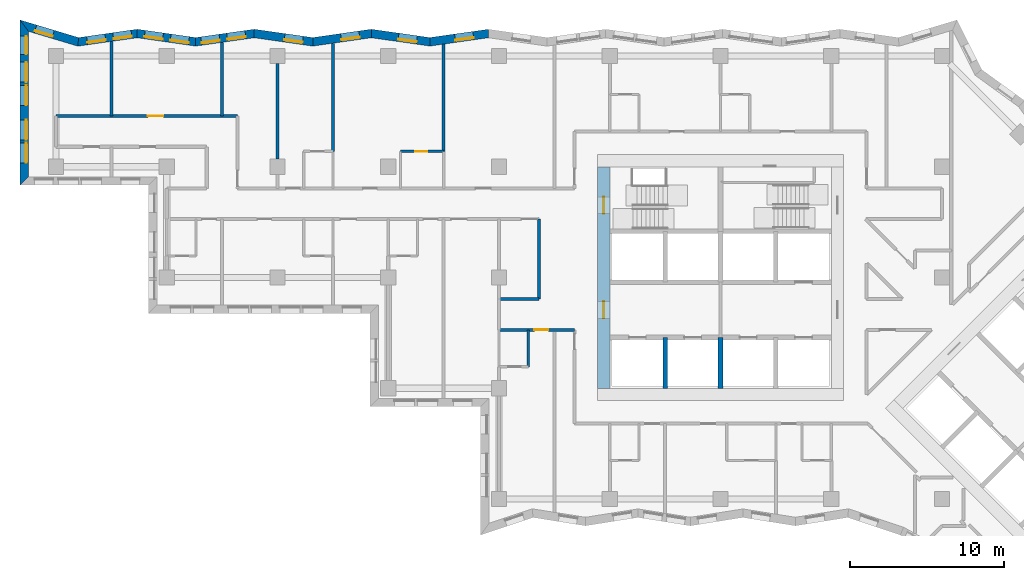
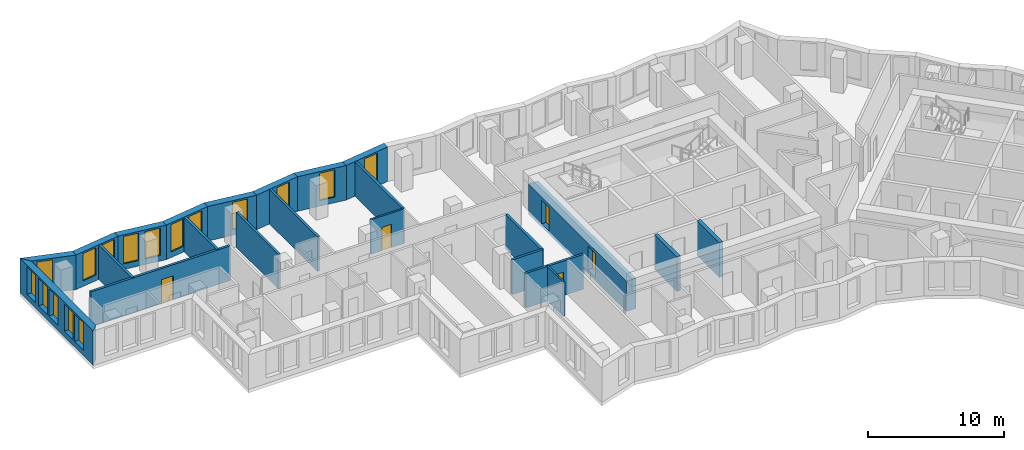
# One storey, part 5 of 13: 23 walls, 16 windows, 5 doors, 21 openings.
"""IFC4 building model written with IfcOpenShell, lengths in metres."""

from ifc_helpers import new_model, si_unit, direction, frame, frame_2d, origin, place, context, subcontext, project, spatial, polyline, rectangle, outline, extrude, material, layer, layer_set, type_object, element, fill, save


model = new_model("IFC4")

# Units and contexts
model_context = context("Model", 3, precision=1e-05, world=origin(), true_north=direction((0.0, 1.0)))
body_context = subcontext(model_context, "Body", "Model", "MODEL_VIEW")
ifc_project = project(units=[si_unit("LENGTHUNIT", "METRE"), si_unit("AREAUNIT", "SQUARE_METRE"), si_unit("VOLUMEUNIT", "CUBIC_METRE"), si_unit("PLANEANGLEUNIT", "RADIAN"), si_unit("MASSUNIT", "GRAM", prefix="KILO")], contexts=[model_context])

# Site, building, storey
site_placement = place(None, origin())
site = spatial("IfcSite", under=ifc_project, at=site_placement, CompositionType="ELEMENT")
building_placement = place(site_placement, origin())
building = spatial("IfcBuilding", under=site, at=building_placement, Name="Windrow Commons", CompositionType="ELEMENT")
storey_placement = place(building_placement, frame((0.0, 0.0, 108.4)))
storey = spatial("IfcBuildingStorey", under=building, at=storey_placement, Name="L29", CompositionType="ELEMENT", Elevation=108.4)

# Wall, opening, window
ifc_material_1 = material(Name="Brick masonry, red clay brick", Category="masonry")
ifc_layer_1 = layer(ifc_material_1, 0.55)
ifc_layer_set_1 = layer_set([ifc_layer_1], Name="Brick facade wall 550")
wall_type_1 = type_object("IfcWallType", Name="Brick facade wall 550", PredefinedType="SOLIDWALL", material=ifc_layer_set_1)
wall_1_placement = place(storey_placement, frame((49.7141, 73.4642, 0.0), z_axis=(0.0, 0.0, 1.0), x_axis=(-0.990016994, -0.1409480459, 0.0)))
wall_1 = element("IfcWall", 1, at=wall_1_placement, inside=storey, type_object=wall_type_1, Name="Brick facade wall L29 29", PredefinedType="SOLIDWALL", context=body_context, shape_type="SweptSolid", body=[
    extrude(outline(polyline([(-0.0392, -0.275), (3.8062, -0.275), (3.8845, 0.275), (0.0392, 0.275), (-0.0392, -0.275)])), origin(), (0.0, 0.0, 1.0), 3.1),
])
opening_1_placement = place(wall_1_placement, frame((0.9913, 0.0, 0.5)))
opening_1 = element("IfcOpeningElement", 2, at=opening_1_placement, cuts=wall_1, Name="Opening W7D", PredefinedType="OPENING", context=body_context, shape_type="SweptSolid", body=[
    extrude(rectangle(XDim=1.2, YDim=2.45, at=frame_2d((0.6, 1.225))), frame((0.0, 0.285, 0.0), z_axis=(0.0, -1.0, 0.0), x_axis=(1.0, 0.0, 0.0)), (0.0, 0.0, 1.0), 0.57),
])
ifc_material_2 = material(Name="Clear float glass in anodised aluminium frame", Category="aluminium")
window_type_1 = type_object("IfcWindowType", Name="Window W7 notch 1200x2450", PartitioningType="SINGLE_PANEL", PredefinedType="WINDOW", material=ifc_material_2)
window_1_placement = place(opening_1_placement, origin())
window_1 = element("IfcWindow", 3, at=window_1_placement, inside=storey, type_object=window_type_1, Name="Window L29 29.1", OverallHeight=2.45, OverallWidth=1.2, PartitioningType="SINGLE_PANEL", PredefinedType="WINDOW", context=body_context, shape_type="SweptSolid", body=[
    extrude(rectangle(XDim=1.2, YDim=2.45, at=frame_2d((0.6, 1.225))), frame((0.0, 0.155, 0.0), z_axis=(0.0, -1.0, 0.0), x_axis=(1.0, 0.0, 0.0)), (0.0, 0.0, 1.0), 0.06),
])
fill(opening_1, window_1)

wall_2_placement = place(storey_placement, frame((45.9071, 72.9222, 0.0), z_axis=(0.0, 0.0, 1.0), x_axis=(-0.9900175106, 0.1409444172, 0.0)))
wall_2 = element("IfcWall", 4, at=wall_2_placement, inside=storey, type_object=wall_type_1, Name="Brick facade wall L29 30", PredefinedType="SOLIDWALL", context=body_context, shape_type="SweptSolid", body=[
    extrude(outline(polyline([(0.0392, -0.275), (3.8845, -0.275), (3.8062, 0.275), (-0.0392, 0.275), (0.0392, -0.275)])), origin(), (0.0, 0.0, 1.0), 3.1),
])
opening_2_placement = place(wall_2_placement, frame((0.8672, 0.0, 0.5)))
opening_2 = element("IfcOpeningElement", 5, at=opening_2_placement, cuts=wall_2, Name="Opening W7D", PredefinedType="OPENING", context=body_context, shape_type="SweptSolid", body=[
    extrude(rectangle(XDim=1.2, YDim=2.45, at=frame_2d((0.6, 1.225))), frame((0.0, 0.285, 0.0), z_axis=(0.0, -1.0, 0.0), x_axis=(1.0, 0.0, 0.0)), (0.0, 0.0, 1.0), 0.57),
])
window_2_placement = place(opening_2_placement, origin())
window_2 = element("IfcWindow", 6, at=window_2_placement, inside=storey, type_object=window_type_1, Name="Window L29 30.1", OverallHeight=2.45, OverallWidth=1.2, PartitioningType="SINGLE_PANEL", PredefinedType="WINDOW", context=body_context, shape_type="SweptSolid", body=[
    extrude(rectangle(XDim=1.2, YDim=2.45, at=frame_2d((0.6, 1.225))), frame((0.0, 0.155, 0.0), z_axis=(0.0, -1.0, 0.0), x_axis=(1.0, 0.0, 0.0)), (0.0, 0.0, 1.0), 0.06),
])
fill(opening_2, window_2)

wall_3_placement = place(storey_placement, frame((42.1, 73.4642, 0.0), z_axis=(0.0, 0.0, 1.0), x_axis=(-0.990016994, -0.1409480459, 0.0)))
wall_3 = element("IfcWall", 7, at=wall_3_placement, inside=storey, type_object=wall_type_1, Name="Brick facade wall L29 31", PredefinedType="SOLIDWALL", context=body_context, shape_type="SweptSolid", body=[
    extrude(outline(polyline([(-0.0392, -0.275), (3.8062, -0.275), (3.8845, 0.275), (0.0392, 0.275), (-0.0392, -0.275)])), origin(), (0.0, 0.0, 1.0), 3.1),
])
opening_3_placement = place(wall_3_placement, frame((0.7822, 0.0, 0.5)))
opening_3 = element("IfcOpeningElement", 8, at=opening_3_placement, cuts=wall_3, Name="Opening W7D", PredefinedType="OPENING", context=body_context, shape_type="SweptSolid", body=[
    extrude(rectangle(XDim=1.2, YDim=2.45, at=frame_2d((0.6, 1.225))), frame((0.0, 0.285, 0.0), z_axis=(0.0, -1.0, 0.0), x_axis=(1.0, 0.0, 0.0)), (0.0, 0.0, 1.0), 0.57),
])
window_3_placement = place(opening_3_placement, origin())
window_3 = element("IfcWindow", 9, at=window_3_placement, inside=storey, type_object=window_type_1, Name="Window L29 31.1", OverallHeight=2.45, OverallWidth=1.2, PartitioningType="SINGLE_PANEL", PredefinedType="WINDOW", context=body_context, shape_type="SweptSolid", body=[
    extrude(rectangle(XDim=1.2, YDim=2.45, at=frame_2d((0.6, 1.225))), frame((0.0, 0.155, 0.0), z_axis=(0.0, -1.0, 0.0), x_axis=(1.0, 0.0, 0.0)), (0.0, 0.0, 1.0), 0.06),
])
fill(opening_3, window_3)

wall_4_placement = place(storey_placement, frame((38.293, 72.9222, 0.0), z_axis=(0.0, 0.0, 1.0), x_axis=(-0.990016994, 0.1409480459, 0.0)))
wall_4 = element("IfcWall", 10, at=wall_4_placement, inside=storey, type_object=wall_type_1, Name="Brick facade wall L29 32", PredefinedType="SOLIDWALL", context=body_context, shape_type="SweptSolid", body=[
    extrude(outline(polyline([(0.0392, -0.275), (3.8845, -0.275), (3.8062, 0.275), (-0.0392, 0.275), (0.0392, -0.275)])), origin(), (0.0, 0.0, 1.0), 3.1),
])
opening_4_placement = place(wall_4_placement, frame((0.6581, 0.0, 0.5)))
opening_4 = element("IfcOpeningElement", 11, at=opening_4_placement, cuts=wall_4, Name="Opening W7D", PredefinedType="OPENING", context=body_context, shape_type="SweptSolid", body=[
    extrude(rectangle(XDim=1.2, YDim=2.45, at=frame_2d((0.6, 1.225))), frame((0.0, 0.285, 0.0), z_axis=(0.0, -1.0, 0.0), x_axis=(1.0, 0.0, 0.0)), (0.0, 0.0, 1.0), 0.57),
])
window_4_placement = place(opening_4_placement, origin())
window_4 = element("IfcWindow", 12, at=window_4_placement, inside=storey, type_object=window_type_1, Name="Window L29 32.1", OverallHeight=2.45, OverallWidth=1.2, PartitioningType="SINGLE_PANEL", PredefinedType="WINDOW", context=body_context, shape_type="SweptSolid", body=[
    extrude(rectangle(XDim=1.2, YDim=2.45, at=frame_2d((0.6, 1.225))), frame((0.0, 0.155, 0.0), z_axis=(0.0, -1.0, 0.0), x_axis=(1.0, 0.0, 0.0)), (0.0, 0.0, 1.0), 0.06),
])
fill(opening_4, window_4)

# Wall, openings, windows
wall_5_placement = place(storey_placement, frame((34.486, 73.4642, 0.0), z_axis=(0.0, 0.0, 1.0), x_axis=(-0.990016994, -0.1409480459, 0.0)))
wall_5 = element("IfcWall", 13, at=wall_5_placement, inside=storey, type_object=wall_type_1, Name="Brick facade wall L29 33", PredefinedType="SOLIDWALL", context=body_context, shape_type="SweptSolid", body=[
    extrude(outline(polyline([(-0.0392, -0.275), (3.8062, -0.275), (3.8845, 0.275), (0.0392, 0.275), (-0.0392, -0.275)])), origin(), (0.0, 0.0, 1.0), 3.1),
])
opening_5_placement = place(wall_5_placement, frame((0.5731, 0.0, 0.5)))
opening_5 = element("IfcOpeningElement", 14, at=opening_5_placement, cuts=wall_5, Name="Opening W7D", PredefinedType="OPENING", context=body_context, shape_type="SweptSolid", body=[
    extrude(rectangle(XDim=1.2, YDim=2.45, at=frame_2d((0.6, 1.225))), frame((0.0, 0.285, 0.0), z_axis=(0.0, -1.0, 0.0), x_axis=(1.0, 0.0, 0.0)), (0.0, 0.0, 1.0), 0.57),
])
opening_6_placement = place(wall_5_placement, frame((2.2762, 0.0, 0.5)))
opening_6 = element("IfcOpeningElement", 15, at=opening_6_placement, cuts=wall_5, Name="Opening W7D", PredefinedType="OPENING", context=body_context, shape_type="SweptSolid", body=[
    extrude(rectangle(XDim=1.2, YDim=2.45, at=frame_2d((0.6, 1.225))), frame((0.0, 0.285, 0.0), z_axis=(0.0, -1.0, 0.0), x_axis=(1.0, 0.0, 0.0)), (0.0, 0.0, 1.0), 0.57),
])
window_5_placement = place(opening_5_placement, origin())
window_5 = element("IfcWindow", 16, at=window_5_placement, inside=storey, type_object=window_type_1, Name="Window L29 33.1", OverallHeight=2.45, OverallWidth=1.2, PartitioningType="SINGLE_PANEL", PredefinedType="WINDOW", context=body_context, shape_type="SweptSolid", body=[
    extrude(rectangle(XDim=1.2, YDim=2.45, at=frame_2d((0.6, 1.225))), frame((0.0, 0.155, 0.0), z_axis=(0.0, -1.0, 0.0), x_axis=(1.0, 0.0, 0.0)), (0.0, 0.0, 1.0), 0.06),
])
fill(opening_5, window_5)
window_6_placement = place(opening_6_placement, origin())
window_6 = element("IfcWindow", 17, at=window_6_placement, inside=storey, type_object=window_type_1, Name="Window L29 33.2", OverallHeight=2.45, OverallWidth=1.2, PartitioningType="SINGLE_PANEL", PredefinedType="WINDOW", context=body_context, shape_type="SweptSolid", body=[
    extrude(rectangle(XDim=1.2, YDim=2.45, at=frame_2d((0.6, 1.225))), frame((0.0, 0.155, 0.0), z_axis=(0.0, -1.0, 0.0), x_axis=(1.0, 0.0, 0.0)), (0.0, 0.0, 1.0), 0.06),
])
fill(opening_6, window_6)

wall_6_placement = place(storey_placement, frame((30.679, 72.9222, 0.0), z_axis=(0.0, 0.0, 1.0), x_axis=(-0.990016994, 0.1409480459, 0.0)))
wall_6 = element("IfcWall", 18, at=wall_6_placement, inside=storey, type_object=wall_type_1, Name="Brick facade wall L29 34", PredefinedType="SOLIDWALL", context=body_context, shape_type="SweptSolid", body=[
    extrude(outline(polyline([(0.0392, -0.275), (3.8845, -0.275), (3.8062, 0.275), (-0.0392, 0.275), (0.0392, -0.275)])), origin(), (0.0, 0.0, 1.0), 3.1),
])
opening_7_placement = place(wall_6_placement, frame((0.449, 0.0, 0.5)))
opening_7 = element("IfcOpeningElement", 19, at=opening_7_placement, cuts=wall_6, Name="Opening W7D", PredefinedType="OPENING", context=body_context, shape_type="SweptSolid", body=[
    extrude(rectangle(XDim=1.2, YDim=2.45, at=frame_2d((0.6, 1.225))), frame((0.0, 0.285, 0.0), z_axis=(0.0, -1.0, 0.0), x_axis=(1.0, 0.0, 0.0)), (0.0, 0.0, 1.0), 0.57),
])
opening_8_placement = place(wall_6_placement, frame((2.1521, 0.0, 0.5)))
opening_8 = element("IfcOpeningElement", 20, at=opening_8_placement, cuts=wall_6, Name="Opening W7D", PredefinedType="OPENING", context=body_context, shape_type="SweptSolid", body=[
    extrude(rectangle(XDim=1.2, YDim=2.45, at=frame_2d((0.6, 1.225))), frame((0.0, 0.285, 0.0), z_axis=(0.0, -1.0, 0.0), x_axis=(1.0, 0.0, 0.0)), (0.0, 0.0, 1.0), 0.57),
])
window_7_placement = place(opening_7_placement, origin())
window_7 = element("IfcWindow", 21, at=window_7_placement, inside=storey, type_object=window_type_1, Name="Window L29 34.1", OverallHeight=2.45, OverallWidth=1.2, PartitioningType="SINGLE_PANEL", PredefinedType="WINDOW", context=body_context, shape_type="SweptSolid", body=[
    extrude(rectangle(XDim=1.2, YDim=2.45, at=frame_2d((0.6, 1.225))), frame((0.0, 0.155, 0.0), z_axis=(0.0, -1.0, 0.0), x_axis=(1.0, 0.0, 0.0)), (0.0, 0.0, 1.0), 0.06),
])
fill(opening_7, window_7)
window_8_placement = place(opening_8_placement, origin())
window_8 = element("IfcWindow", 22, at=window_8_placement, inside=storey, type_object=window_type_1, Name="Window L29 34.2", OverallHeight=2.45, OverallWidth=1.2, PartitioningType="SINGLE_PANEL", PredefinedType="WINDOW", context=body_context, shape_type="SweptSolid", body=[
    extrude(rectangle(XDim=1.2, YDim=2.45, at=frame_2d((0.6, 1.225))), frame((0.0, 0.155, 0.0), z_axis=(0.0, -1.0, 0.0), x_axis=(1.0, 0.0, 0.0)), (0.0, 0.0, 1.0), 0.06),
])
fill(opening_8, window_8)

wall_7_placement = place(storey_placement, frame((26.872, 73.4642, 0.0), z_axis=(0.0, 0.0, 1.0), x_axis=(-0.9900171381, -0.1409470338, 0.0)))
wall_7 = element("IfcWall", 23, at=wall_7_placement, inside=storey, type_object=wall_type_1, Name="Brick facade wall L29 35", PredefinedType="SOLIDWALL", context=body_context, shape_type="SweptSolid", body=[
    extrude(outline(polyline([(-0.0392, -0.275), (3.8062, -0.275), (3.9272, 0.275), (0.0392, 0.275), (-0.0392, -0.275)])), origin(), (0.0, 0.0, 1.0), 3.1),
])
opening_9_placement = place(wall_7_placement, frame((0.364, 0.0, 0.5)))
opening_9 = element("IfcOpeningElement", 24, at=opening_9_placement, cuts=wall_7, Name="Opening W7D", PredefinedType="OPENING", context=body_context, shape_type="SweptSolid", body=[
    extrude(rectangle(XDim=1.2, YDim=2.45, at=frame_2d((0.6, 1.225))), frame((0.0, 0.285, 0.0), z_axis=(0.0, -1.0, 0.0), x_axis=(1.0, 0.0, 0.0)), (0.0, 0.0, 1.0), 0.57),
])
opening_10_placement = place(wall_7_placement, frame((2.0778, 0.0, 0.5)))
opening_10 = element("IfcOpeningElement", 25, at=opening_10_placement, cuts=wall_7, Name="Opening W7D", PredefinedType="OPENING", context=body_context, shape_type="SweptSolid", body=[
    extrude(rectangle(XDim=1.2, YDim=2.45, at=frame_2d((0.6, 1.225))), frame((0.0, 0.285, 0.0), z_axis=(0.0, -1.0, 0.0), x_axis=(1.0, 0.0, 0.0)), (0.0, 0.0, 1.0), 0.57),
])
window_9_placement = place(opening_9_placement, origin())
window_9 = element("IfcWindow", 26, at=window_9_placement, inside=storey, type_object=window_type_1, Name="Window L29 35.1", OverallHeight=2.45, OverallWidth=1.2, PartitioningType="SINGLE_PANEL", PredefinedType="WINDOW", context=body_context, shape_type="SweptSolid", body=[
    extrude(rectangle(XDim=1.2, YDim=2.45, at=frame_2d((0.6, 1.225))), frame((0.0, 0.155, 0.0), z_axis=(0.0, -1.0, 0.0), x_axis=(1.0, 0.0, 0.0)), (0.0, 0.0, 1.0), 0.06),
])
fill(opening_9, window_9)
window_10_placement = place(opening_10_placement, origin())
window_10 = element("IfcWindow", 27, at=window_10_placement, inside=storey, type_object=window_type_1, Name="Window L29 35.2", OverallHeight=2.45, OverallWidth=1.2, PartitioningType="SINGLE_PANEL", PredefinedType="WINDOW", context=body_context, shape_type="SweptSolid", body=[
    extrude(rectangle(XDim=1.2, YDim=2.45, at=frame_2d((0.6, 1.225))), frame((0.0, 0.155, 0.0), z_axis=(0.0, -1.0, 0.0), x_axis=(1.0, 0.0, 0.0)), (0.0, 0.0, 1.0), 0.06),
])
fill(opening_10, window_10)

# Wall, opening, window
wall_8_placement = place(storey_placement, frame((23.0439, 72.9192, 0.0), z_axis=(0.0, 0.0, 1.0), x_axis=(-0.9578315412, 0.2873303652, 0.0)))
wall_8 = element("IfcWall", 28, at=wall_8_placement, inside=storey, type_object=wall_type_1, Name="Brick facade wall L29 36", PredefinedType="SOLIDWALL", context=body_context, shape_type="SweptSolid", body=[
    extrude(outline(polyline([(0.0605, -0.275), (4.0351, -0.275), (3.2959, 0.275), (-0.0605, 0.275), (0.0605, -0.275)])), origin(), (0.0, 0.0, 1.0), 3.1),
])
opening_11_placement = place(wall_8_placement, frame((1.7017, 0.0, 0.5)))
opening_11 = element("IfcOpeningElement", 29, at=opening_11_placement, cuts=wall_8, Name="Opening W7D", PredefinedType="OPENING", context=body_context, shape_type="SweptSolid", body=[
    extrude(rectangle(XDim=1.2, YDim=2.45, at=frame_2d((0.6, 1.225))), frame((0.0, 0.285, 0.0), z_axis=(0.0, -1.0, 0.0), x_axis=(1.0, 0.0, 0.0)), (0.0, 0.0, 1.0), 0.57),
])
window_11_placement = place(opening_11_placement, origin())
window_11 = element("IfcWindow", 30, at=window_11_placement, inside=storey, type_object=window_type_1, Name="Window L29 36.1", OverallHeight=2.45, OverallWidth=1.2, PartitioningType="SINGLE_PANEL", PredefinedType="WINDOW", context=body_context, shape_type="SweptSolid", body=[
    extrude(rectangle(XDim=1.2, YDim=2.45, at=frame_2d((0.6, 1.225))), frame((0.0, 0.155, 0.0), z_axis=(0.0, -1.0, 0.0), x_axis=(1.0, 0.0, 0.0)), (0.0, 0.0, 1.0), 0.06),
])
fill(opening_11, window_11)

# Wall, openings, windows
wall_9_placement = place(storey_placement, frame((19.533, 73.9724, 0.0), z_axis=(0.0, 0.0, 1.0), x_axis=(0.0, -1.0, 0.0)))
wall_9 = element("IfcWall", 31, at=wall_9_placement, inside=storey, type_object=wall_type_1, Name="Brick facade wall L29 37", PredefinedType="SOLIDWALL", context=body_context, shape_type="SweptSolid", body=[
    extrude(outline(polyline([(-0.3696, -0.275), (10.3724, -0.275), (9.8224, 0.275), (0.3696, 0.275), (-0.3696, -0.275)])), origin(), (0.0, 0.0, 1.0), 3.1),
])
opening_12_placement = place(wall_9_placement, frame((2.3724, 0.0, 0.5)))
opening_12 = element("IfcOpeningElement", 32, at=opening_12_placement, cuts=wall_9, Name="Opening W1P", PredefinedType="OPENING", context=body_context, shape_type="SweptSolid", body=[
    extrude(rectangle(XDim=1.3, YDim=2.45, at=frame_2d((0.65, 1.225))), frame((0.0, 0.285, 0.0), z_axis=(0.0, -1.0, 0.0), x_axis=(1.0, 0.0, 0.0)), (0.0, 0.0, 1.0), 0.57),
])
opening_13_placement = place(wall_9_placement, frame((3.8724, 0.0, 0.5)))
opening_13 = element("IfcOpeningElement", 33, at=opening_13_placement, cuts=wall_9, Name="Opening W1P", PredefinedType="OPENING", context=body_context, shape_type="SweptSolid", body=[
    extrude(rectangle(XDim=1.3, YDim=2.45, at=frame_2d((0.65, 1.225))), frame((0.0, 0.285, 0.0), z_axis=(0.0, -1.0, 0.0), x_axis=(1.0, 0.0, 0.0)), (0.0, 0.0, 1.0), 0.57),
])
opening_14_placement = place(wall_9_placement, frame((6.1224, 0.0, 0.5)))
opening_14 = element("IfcOpeningElement", 34, at=opening_14_placement, cuts=wall_9, Name="Opening W1P", PredefinedType="OPENING", context=body_context, shape_type="SweptSolid", body=[
    extrude(rectangle(XDim=1.3, YDim=2.45, at=frame_2d((0.65, 1.225))), frame((0.0, 0.285, 0.0), z_axis=(0.0, -1.0, 0.0), x_axis=(1.0, 0.0, 0.0)), (0.0, 0.0, 1.0), 0.57),
])
opening_15_placement = place(wall_9_placement, frame((7.6224, 0.0, 0.5)))
opening_15 = element("IfcOpeningElement", 35, at=opening_15_placement, cuts=wall_9, Name="Opening W1P", PredefinedType="OPENING", context=body_context, shape_type="SweptSolid", body=[
    extrude(rectangle(XDim=1.3, YDim=2.45, at=frame_2d((0.65, 1.225))), frame((0.0, 0.285, 0.0), z_axis=(0.0, -1.0, 0.0), x_axis=(1.0, 0.0, 0.0)), (0.0, 0.0, 1.0), 0.57),
])
opening_16_placement = place(wall_9_placement, frame((0.671, 0.0, 0.5)))
opening_16 = element("IfcOpeningElement", 36, at=opening_16_placement, cuts=wall_9, Name="Opening W7D", PredefinedType="OPENING", context=body_context, shape_type="SweptSolid", body=[
    extrude(rectangle(XDim=1.2, YDim=2.45, at=frame_2d((0.6, 1.225))), frame((0.0, 0.285, 0.0), z_axis=(0.0, -1.0, 0.0), x_axis=(1.0, 0.0, 0.0)), (0.0, 0.0, 1.0), 0.57),
])
ifc_material_3 = material(Name="Clear float glass in anodised aluminium frame", Category="aluminium")
window_type_2 = type_object("IfcWindowType", Name="Window W1P pair 1300x2450", PartitioningType="SINGLE_PANEL", PredefinedType="WINDOW", material=ifc_material_3)
window_12_placement = place(opening_12_placement, origin())
window_12 = element("IfcWindow", 37, at=window_12_placement, inside=storey, type_object=window_type_2, Name="Window L29 37.1A", OverallHeight=2.45, OverallWidth=1.3, PartitioningType="SINGLE_PANEL", PredefinedType="WINDOW", context=body_context, shape_type="SweptSolid", body=[
    extrude(rectangle(XDim=1.3, YDim=2.45, at=frame_2d((0.65, 1.225))), frame((0.0, 0.155, 0.0), z_axis=(0.0, -1.0, 0.0), x_axis=(1.0, 0.0, 0.0)), (0.0, 0.0, 1.0), 0.06),
])
fill(opening_12, window_12)
window_13_placement = place(opening_13_placement, origin())
window_13 = element("IfcWindow", 38, at=window_13_placement, inside=storey, type_object=window_type_2, Name="Window L29 37.1B", OverallHeight=2.45, OverallWidth=1.3, PartitioningType="SINGLE_PANEL", PredefinedType="WINDOW", context=body_context, shape_type="SweptSolid", body=[
    extrude(rectangle(XDim=1.3, YDim=2.45, at=frame_2d((0.65, 1.225))), frame((0.0, 0.155, 0.0), z_axis=(0.0, -1.0, 0.0), x_axis=(1.0, 0.0, 0.0)), (0.0, 0.0, 1.0), 0.06),
])
fill(opening_13, window_13)
window_14_placement = place(opening_14_placement, origin())
window_14 = element("IfcWindow", 39, at=window_14_placement, inside=storey, type_object=window_type_2, Name="Window L29 37.2A", OverallHeight=2.45, OverallWidth=1.3, PartitioningType="SINGLE_PANEL", PredefinedType="WINDOW", context=body_context, shape_type="SweptSolid", body=[
    extrude(rectangle(XDim=1.3, YDim=2.45, at=frame_2d((0.65, 1.225))), frame((0.0, 0.155, 0.0), z_axis=(0.0, -1.0, 0.0), x_axis=(1.0, 0.0, 0.0)), (0.0, 0.0, 1.0), 0.06),
])
fill(opening_14, window_14)
window_15_placement = place(opening_15_placement, origin())
window_15 = element("IfcWindow", 40, at=window_15_placement, inside=storey, type_object=window_type_2, Name="Window L29 37.2B", OverallHeight=2.45, OverallWidth=1.3, PartitioningType="SINGLE_PANEL", PredefinedType="WINDOW", context=body_context, shape_type="SweptSolid", body=[
    extrude(rectangle(XDim=1.3, YDim=2.45, at=frame_2d((0.65, 1.225))), frame((0.0, 0.155, 0.0), z_axis=(0.0, -1.0, 0.0), x_axis=(1.0, 0.0, 0.0)), (0.0, 0.0, 1.0), 0.06),
])
fill(opening_15, window_15)
window_16_placement = place(opening_16_placement, origin())
window_16 = element("IfcWindow", 41, at=window_16_placement, inside=storey, type_object=window_type_1, Name="Window L29 37.3", OverallHeight=2.45, OverallWidth=1.2, PartitioningType="SINGLE_PANEL", PredefinedType="WINDOW", context=body_context, shape_type="SweptSolid", body=[
    extrude(rectangle(XDim=1.2, YDim=2.45, at=frame_2d((0.6, 1.225))), frame((0.0, 0.155, 0.0), z_axis=(0.0, -1.0, 0.0), x_axis=(1.0, 0.0, 0.0)), (0.0, 0.0, 1.0), 0.06),
])
fill(opening_16, window_16)

# Wall, opening, door
ifc_material_4 = material(Name="Blockwork partition", Category="masonry")
ifc_layer_2 = layer(ifc_material_4, 0.2)
ifc_layer_set_2 = layer_set([ifc_layer_2], Name="IW-CORRIDOR-200")
wall_type_2 = type_object("IfcWallType", Name="IW-CORRIDOR-200", PredefinedType="PARTITIONING", material=ifc_layer_set_2)
wall_10_placement = place(storey_placement, frame((21.602, 68.1, 0.0), z_axis=(0.0, 0.0, 1.0), x_axis=(1.0, 0.0, 0.0)))
wall_10 = element("IfcWall", 42, at=wall_10_placement, inside=storey, type_object=wall_type_2, Name="W-L29-W009", PredefinedType="PARTITIONING", context=body_context, shape_type="SweptSolid", body=[
    extrude(rectangle(XDim=11.798, YDim=0.2, at=frame_2d((5.899, 0.0))), origin(), (0.0, 0.0, 1.0), 3.1),
])
opening_17_placement = place(wall_10_placement, frame((5.9717, 0.0, 0.0)))
opening_17 = element("IfcOpeningElement", 43, at=opening_17_placement, cuts=wall_10, Name="Opening D310F", PredefinedType="OPENING", context=body_context, shape_type="SweptSolid", body=[
    extrude(rectangle(XDim=1.0, YDim=2.1, at=frame_2d((0.5, 1.05))), frame((0.0, 0.11, 0.0), z_axis=(0.0, -1.0, 0.0), x_axis=(1.0, 0.0, 0.0)), (0.0, 0.0, 1.0), 0.22),
])
ifc_material_5 = material(Name="Timber door leaf", Category="wood")
door_type_1 = type_object("IfcDoorType", Name="DT-AMENITY-1000", OperationType="SINGLE_SWING_LEFT", PredefinedType="DOOR", material=ifc_material_5)
door_1_placement = place(opening_17_placement, origin())
door_1 = element("IfcDoor", 44, at=door_1_placement, inside=storey, type_object=door_type_1, Name="D-L29-D003", OperationType="SINGLE_SWING_LEFT", OverallHeight=2.1, OverallWidth=1.0, PredefinedType="DOOR", context=body_context, shape_type="SweptSolid", body=[
    extrude(rectangle(XDim=1.0, YDim=2.1, at=frame_2d((0.5, 1.05))), frame((0.0, 0.025, 0.0), z_axis=(0.0, -1.0, 0.0), x_axis=(1.0, 0.0, 0.0)), (0.0, 0.0, 1.0), 0.05),
])
fill(opening_17, door_1)

# Wall
wall_11_placement = place(storey_placement, frame((53.0, 56.202, 0.0), z_axis=(0.0, 0.0, 1.0), x_axis=(0.0, 1.0, 0.0)))
element("IfcWall", 45, at=wall_11_placement, inside=storey, type_object=wall_type_2, Name="W-L29-W037", PredefinedType="PARTITIONING", context=body_context, shape_type="SweptSolid", body=[
    extrude(rectangle(XDim=5.198, YDim=0.2, at=frame_2d((2.599, 0.0))), origin(), (0.0, 0.0, 1.0), 3.1),
])

# Wall, opening, door
wall_12_placement = place(storey_placement, frame((50.4, 54.2, 0.0), z_axis=(0.0, 0.0, 1.0), x_axis=(1.0, 0.0, 0.0)))
wall_12 = element("IfcWall", 46, at=wall_12_placement, inside=storey, type_object=wall_type_2, Name="W-L29-W039", PredefinedType="PARTITIONING", context=body_context, shape_type="SweptSolid", body=[
    extrude(rectangle(XDim=4.9, YDim=0.2, at=frame_2d((2.45, 0.0))), origin(), (0.0, 0.0, 1.0), 3.1),
])
opening_18_placement = place(wall_12_placement, frame((2.3, 0.0, 0.0)))
opening_18 = element("IfcOpeningElement", 47, at=opening_18_placement, cuts=wall_12, Name="Opening D109S", PredefinedType="OPENING", context=body_context, shape_type="SweptSolid", body=[
    extrude(rectangle(XDim=0.9, YDim=2.1, at=frame_2d((0.45, 1.05))), frame((0.0, 0.11, 0.0), z_axis=(0.0, -1.0, 0.0), x_axis=(1.0, 0.0, 0.0)), (0.0, 0.0, 1.0), 0.22),
])
ifc_material_6 = material(Name="Timber door leaf", Category="wood")
door_type_2 = type_object("IfcDoorType", Name="DT-BEDROOM-900", OperationType="SINGLE_SWING_LEFT", PredefinedType="DOOR", material=ifc_material_6)
door_2_placement = place(opening_18_placement, origin())
door_2 = element("IfcDoor", 48, at=door_2_placement, inside=storey, type_object=door_type_2, Name="D-L29-D021", OperationType="SINGLE_SWING_LEFT", OverallHeight=2.1, OverallWidth=0.9, PredefinedType="DOOR", context=body_context, shape_type="SweptSolid", body=[
    extrude(rectangle(XDim=0.9, YDim=2.1, at=frame_2d((0.45, 1.05))), frame((0.0, 0.025, 0.0), z_axis=(0.0, -1.0, 0.0), x_axis=(1.0, 0.0, 0.0)), (0.0, 0.0, 1.0), 0.05),
])
fill(opening_18, door_2)

# Wall
wall_13_placement = place(storey_placement, frame((50.4, 56.2, 0.0), z_axis=(0.0, 0.0, 1.0), x_axis=(1.0, 0.0, 0.0)))
element("IfcWall", 49, at=wall_13_placement, inside=storey, type_object=wall_type_2, Name="W-L29-W062", PredefinedType="PARTITIONING", context=body_context, shape_type="SweptSolid", body=[
    extrude(rectangle(XDim=2.6, YDim=0.2, at=frame_2d((1.3, 0.0))), origin(), (0.0, 0.0, 1.0), 3.1),
])

# Wall, opening, door
ifc_material_7 = material(Name="Blockwork partition", Category="masonry")
ifc_layer_3 = layer(ifc_material_7, 0.15)
ifc_layer_set_3 = layer_set([ifc_layer_3], Name="IW-ENSUITE-150")
wall_type_3 = type_object("IfcWallType", Name="IW-ENSUITE-150", PredefinedType="PARTITIONING", material=ifc_layer_set_3)
wall_14_placement = place(storey_placement, frame((44.0, 65.8, 0.0), z_axis=(0.0, 0.0, 1.0), x_axis=(1.0, 0.0, 0.0)))
wall_14 = element("IfcWall", 50, at=wall_14_placement, inside=storey, type_object=wall_type_3, Name="W-L29-W060", PredefinedType="PARTITIONING", context=body_context, shape_type="SweptSolid", body=[
    extrude(rectangle(XDim=2.8, YDim=0.15, at=frame_2d((1.4, 0.0))), origin(), (0.0, 0.0, 1.0), 3.1),
])
opening_19_placement = place(wall_14_placement, frame((0.94, 0.0, 0.0)))
opening_19 = element("IfcOpeningElement", 51, at=opening_19_placement, cuts=wall_14, Name="Opening D208N", PredefinedType="OPENING", context=body_context, shape_type="SweptSolid", body=[
    extrude(rectangle(XDim=0.8, YDim=2.1, at=frame_2d((0.4, 1.05))), frame((0.0, 0.085, 0.0), z_axis=(0.0, -1.0, 0.0), x_axis=(1.0, 0.0, 0.0)), (0.0, 0.0, 1.0), 0.17),
])
ifc_material_8 = material(Name="Timber door leaf", Category="wood")
door_type_3 = type_object("IfcDoorType", Name="DT-ENSUITE-800", OperationType="SINGLE_SWING_LEFT", PredefinedType="DOOR", material=ifc_material_8)
door_3_placement = place(opening_19_placement, origin())
door_3 = element("IfcDoor", 52, at=door_3_placement, inside=storey, type_object=door_type_3, Name="D-L29-D012", OperationType="SINGLE_SWING_RIGHT", OverallHeight=2.1, OverallWidth=0.8, PredefinedType="DOOR", context=body_context, shape_type="SweptSolid", body=[
    extrude(rectangle(XDim=0.8, YDim=2.1, at=frame_2d((0.4, 1.05))), frame((0.0, 0.025, 0.0), z_axis=(0.0, -1.0, 0.0), x_axis=(1.0, 0.0, 0.0)), (0.0, 0.0, 1.0), 0.05),
])
fill(opening_19, door_3)

# Walls
wall_15_placement = place(storey_placement, frame((52.3, 51.8, 0.0), z_axis=(0.0, 0.0, 1.0), x_axis=(0.0, 1.0, 0.0)))
element("IfcWall", 53, at=wall_15_placement, inside=storey, type_object=wall_type_3, Name="W-L29-W070", PredefinedType="PARTITIONING", context=body_context, shape_type="SweptSolid", body=[
    extrude(rectangle(XDim=2.4, YDim=0.15, at=frame_2d((1.2, 0.0))), origin(), (0.0, 0.0, 1.0), 3.1),
])
ifc_material_9 = material(Name="Blockwork partition", Category="masonry")
ifc_layer_4 = layer(ifc_material_9, 0.2)
ifc_layer_set_4 = layer_set([ifc_layer_4], Name="IW-PARTY-200")
wall_type_4 = type_object("IfcWallType", Name="IW-PARTY-200", PredefinedType="PARTITIONING", material=ifc_layer_set_4)
wall_16_placement = place(storey_placement, frame((39.6, 65.8, 0.0), z_axis=(0.0, 0.0, 1.0), x_axis=(0.0, 1.0, 0.0)))
element("IfcWall", 54, at=wall_16_placement, inside=storey, type_object=wall_type_4, Name="W-L29-W020", PredefinedType="PARTITIONING", context=body_context, shape_type="SweptSolid", body=[
    extrude(rectangle(XDim=7.0305, YDim=0.2, at=frame_2d((3.5152, 0.0))), origin(), (0.0, 0.0, 1.0), 3.1),
])
wall_17_placement = place(storey_placement, frame((46.8, 65.8, 0.0), z_axis=(0.0, 0.0, 1.0), x_axis=(0.0, 1.0, 0.0)))
element("IfcWall", 55, at=wall_17_placement, inside=storey, type_object=wall_type_4, Name="W-L29-W021", PredefinedType="PARTITIONING", context=body_context, shape_type="SweptSolid", body=[
    extrude(rectangle(XDim=6.9716, YDim=0.2, at=frame_2d((3.4858, 0.0))), origin(), (0.0, 0.0, 1.0), 3.1),
])
wall_18_placement = place(storey_placement, frame((36.0, 65.3, 0.0), z_axis=(0.0, 0.0, 1.0), x_axis=(0.0, 1.0, 0.0)))
element("IfcWall", 56, at=wall_18_placement, inside=storey, type_object=wall_type_4, Name="W-L29-W024", PredefinedType="PARTITIONING", context=body_context, shape_type="SweptSolid", body=[
    extrude(rectangle(XDim=6.2, YDim=0.2, at=frame_2d((3.1, 0.0))), origin(), (0.0, 0.0, 1.0), 3.1),
])
wall_19_placement = place(storey_placement, frame((25.2, 68.1, 0.0), z_axis=(0.0, 0.0, 1.0), x_axis=(0.0, 1.0, 0.0)))
element("IfcWall", 57, at=wall_19_placement, inside=storey, type_object=wall_type_4, Name="W-L29-W041", PredefinedType="PARTITIONING", context=body_context, shape_type="SweptSolid", body=[
    extrude(rectangle(XDim=4.8484, YDim=0.2, at=frame_2d((2.4242, 0.0))), origin(), (0.0, 0.0, 1.0), 3.1),
])
wall_20_placement = place(storey_placement, frame((32.4, 68.1, 0.0), z_axis=(0.0, 0.0, 1.0), x_axis=(0.0, 1.0, 0.0)))
element("IfcWall", 58, at=wall_20_placement, inside=storey, type_object=wall_type_4, Name="W-L29-W042", PredefinedType="PARTITIONING", context=body_context, shape_type="SweptSolid", body=[
    extrude(rectangle(XDim=4.7895, YDim=0.2, at=frame_2d((2.3948, 0.0))), origin(), (0.0, 0.0, 1.0), 3.1),
])

# Wall, openings, doors
ifc_material_10 = material(Name="Concrete C50/60", Category="concrete")
ifc_layer_5 = layer(ifc_material_10, 0.8)
ifc_layer_set_5 = layer_set([ifc_layer_5], Name="RC CORE WALL 800 C50/60")
wall_type_5 = type_object("IfcWallType", Name="RC CORE WALL 800 C50/60", PredefinedType="SHEAR", material=ifc_layer_set_5)
wall_21_placement = place(storey_placement, frame((57.2, 50.4, -0.3), z_axis=(0.0, 0.0, 1.0), x_axis=(0.0, 1.0, 0.0)))
wall_21 = element("IfcWall", 59, at=wall_21_placement, inside=storey, type_object=wall_type_5, Name="Core A wall outer-W", PredefinedType="SHEAR", context=body_context, shape_type="SweptSolid", body=[
    extrude(rectangle(XDim=14.4, YDim=0.8, at=frame_2d((7.2, 0.0))), origin(), (0.0, 0.0, 1.0), 2.7),
])
opening_20_placement = place(wall_21_placement, frame((4.55, 0.0, 0.3)))
opening_20 = element("IfcOpeningElement", 60, at=opening_20_placement, cuts=wall_21, Name="Opening D6", PredefinedType="OPENING", context=body_context, shape_type="SweptSolid", body=[
    extrude(rectangle(XDim=1.1, YDim=2.1, at=frame_2d((0.55, 1.05))), frame((0.0, 0.41, 0.0), z_axis=(0.0, -1.0, 0.0), x_axis=(1.0, 0.0, 0.0)), (0.0, 0.0, 1.0), 0.82),
])
opening_21_placement = place(wall_21_placement, frame((11.35, 0.0, 0.3)))
opening_21 = element("IfcOpeningElement", 61, at=opening_21_placement, cuts=wall_21, Name="Opening D7", PredefinedType="OPENING", context=body_context, shape_type="SweptSolid", body=[
    extrude(rectangle(XDim=1.1, YDim=2.1, at=frame_2d((0.55, 1.05))), frame((0.0, 0.41, 0.0), z_axis=(0.0, -1.0, 0.0), x_axis=(1.0, 0.0, 0.0)), (0.0, 0.0, 1.0), 0.82),
])
ifc_material_11 = material(Name="Steel fire door leaf", Category="steel")
door_type_4 = type_object("IfcDoorType", Name="Core lobby door 1100", OperationType="SINGLE_SWING_LEFT", PredefinedType="DOOR", material=ifc_material_11)
door_4_placement = place(opening_20_placement, origin())
door_4 = element("IfcDoor", 62, at=door_4_placement, inside=storey, type_object=door_type_4, Name="Lift lobby door", OperationType="DOUBLE_DOOR_SINGLE_SWING", OverallHeight=2.1, OverallWidth=1.1, PredefinedType="DOOR", context=body_context, shape_type="SweptSolid", body=[
    extrude(rectangle(XDim=1.1, YDim=2.1, at=frame_2d((0.55, 1.05))), frame((0.0, 0.025, 0.0), z_axis=(0.0, -1.0, 0.0), x_axis=(1.0, 0.0, 0.0)), (0.0, 0.0, 1.0), 0.05),
])
fill(opening_20, door_4)
ifc_material_12 = material(Name="Steel fire door leaf", Category="steel")
door_type_5 = type_object("IfcDoorType", Name="Stair door 1100", OperationType="SINGLE_SWING_LEFT", PredefinedType="DOOR", material=ifc_material_12)
door_5_placement = place(opening_21_placement, origin())
door_5 = element("IfcDoor", 63, at=door_5_placement, inside=storey, type_object=door_type_5, Name="Stair door", OperationType="SINGLE_SWING_LEFT", OverallHeight=2.1, OverallWidth=1.1, PredefinedType="DOOR", context=body_context, shape_type="SweptSolid", body=[
    extrude(rectangle(XDim=1.1, YDim=2.1, at=frame_2d((0.55, 1.05))), frame((0.0, 0.025, 0.0), z_axis=(0.0, -1.0, 0.0), x_axis=(1.0, 0.0, 0.0)), (0.0, 0.0, 1.0), 0.05),
])
fill(opening_21, door_5)

# Walls
ifc_material_13 = material(Name="Concrete C50/60", Category="concrete")
ifc_layer_6 = layer(ifc_material_13, 0.3)
ifc_layer_set_6 = layer_set([ifc_layer_6], Name="RC SHAFT WALL 300 C50/60")
wall_type_6 = type_object("IfcWallType", Name="RC SHAFT WALL 300 C50/60", PredefinedType="SOLIDWALL", material=ifc_layer_set_6)
for number, where, z_axis, x_axis, name in (
    (64, (61.2, 50.4, 0.0), (0.0, 0.0, 1.0), (0.0, 1.0, 0.0), "Core A wall shaft-S1"),
    (65, (64.8, 50.4, 0.0), (0.0, 0.0, 1.0), (0.0, 1.0, 0.0), "Core A wall shaft-S2"),
):
    element("IfcWall", number, at=place(storey_placement, frame(where, z_axis=z_axis, x_axis=x_axis)), inside=storey, type_object=wall_type_6, Name=name, PredefinedType="SOLIDWALL", context=body_context, shape_type="SweptSolid", body=[
        extrude(rectangle(XDim=3.3, YDim=0.3, at=frame_2d((1.65, 0.0))), origin(), (0.0, 0.0, 1.0), 3.1),
    ])

save(model, "model.ifc")
